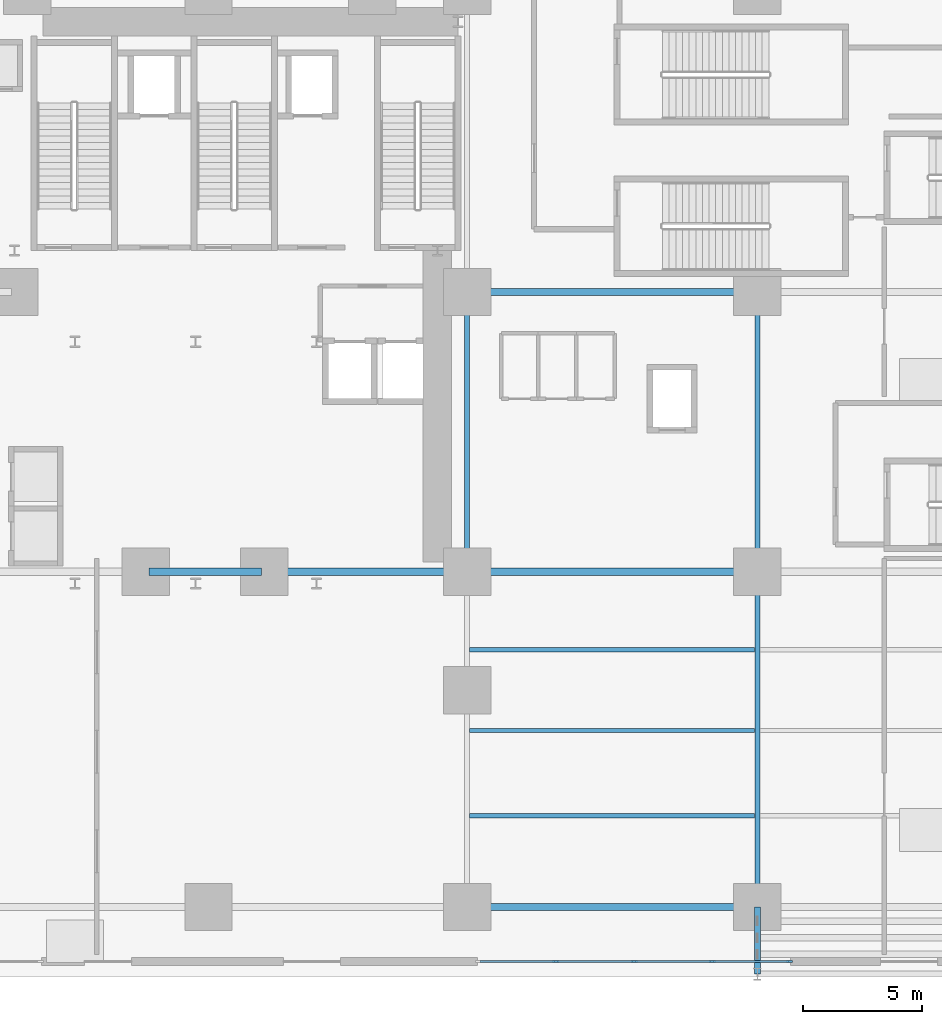
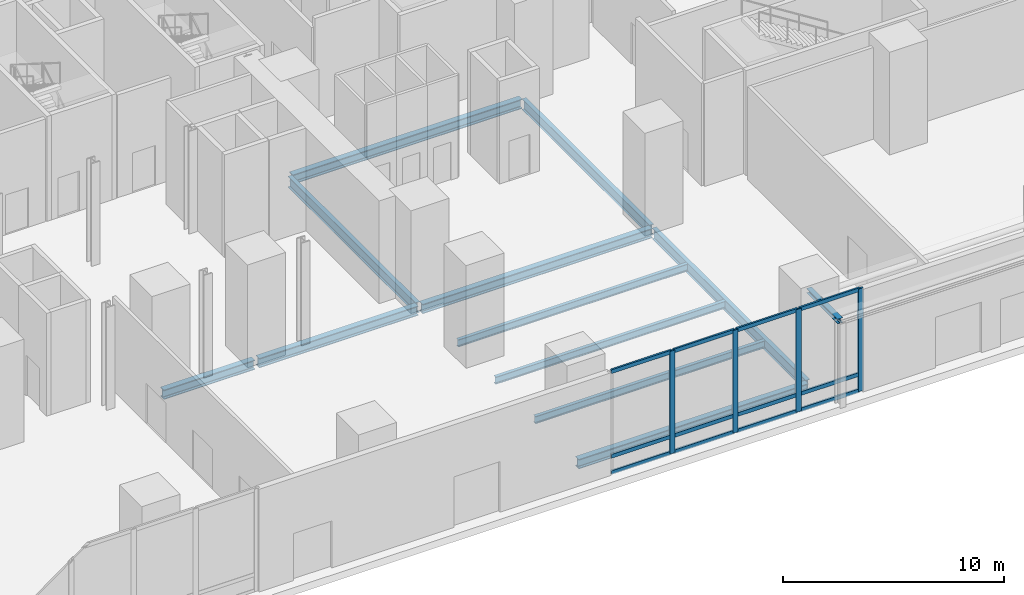
# One storey, part 6 of 25: 16 members, 12 beams, 1 element without a shape of its own.
"""IFC4 building model written with IfcOpenShell, lengths in metres."""

import ifcopenshell
import ifcopenshell.guid

model = None  # the IFC model being written
_history = None  # IfcOwnerHistory: only IFC2X3 demands one
_inside = {}  # id of a spatial element -> (the spatial element, [elements in it])
_under = {}  # id of a project, library or spatial element -> (it, [spatial elements below it])
_declared = {}  # id of a project -> (the project, [libraries it declares])
_typed = {}  # id of a type object -> (the type object, [elements of that type])
_made_of = {}  # id of a material, layer set ... -> (it, [elements and type objects made of it])


def new_model(schema):
    """Start an empty IFC model of exactly this schema.

    Asked for "IFC4X3", IfcOpenShell would pick the latest addendum, in which some entities
    have other attributes; the version numbers below select the first issue.
    IFC2X3 requires an IfcOwnerHistory on every rooted entity: one is made here for all.
    """
    global model, _history
    if schema == "IFC4X3":
        model = ifcopenshell.file(schema_version=(4, 3, 0, 0))
    else:
        model = ifcopenshell.file(schema=schema)
    _inside.clear()
    _under.clear()
    _declared.clear()
    _typed.clear()
    _made_of.clear()
    _history = None
    if model.schema == "IFC2X3":
        org = make("IfcOrganization", Name="unknown")
        user = make(
            "IfcPersonAndOrganization",
            ThePerson=make("IfcPerson", FamilyName="unknown"),
            TheOrganization=org,
        )
        app = make(
            "IfcApplication",
            ApplicationDeveloper=org,
            Version="unknown",
            ApplicationFullName="unknown",
            ApplicationIdentifier="unknown",
        )
        _history = make(
            "IfcOwnerHistory",
            OwningUser=user,
            OwningApplication=app,
            ChangeAction="ADDED",
            CreationDate=0,
        )
    return model


def make(cls, **values):
    """One entity of the class cls with the attributes given. An attribute that is None is left unset."""
    return model.create_entity(
        cls, **{name: value for name, value in values.items() if value is not None}
    )


def rooted(cls, **values):
    """An entity with a GlobalId (a new one), such as an element, a storey or a relation."""
    return make(cls, GlobalId=ifcopenshell.guid.new(), OwnerHistory=_history, **values)


def si_unit(unit_type, name, prefix=None):
    """IfcSIUnit, for example si_unit("LENGTHUNIT", "METRE", prefix="MILLI")."""
    return make("IfcSIUnit", UnitType=unit_type, Prefix=prefix, Name=name)


def assignment(units):
    """IfcUnitAssignment: the units of a project."""
    return None if units is None else make("IfcUnitAssignment", Units=units)


def point(xyz):
    """IfcCartesianPoint."""
    return None if xyz is None else make("IfcCartesianPoint", Coordinates=xyz)


def direction(xyz):
    """IfcDirection."""
    return None if xyz is None else make("IfcDirection", DirectionRatios=xyz)


def frame(location, z_axis=None, x_axis=None):
    """IfcAxis2Placement3D, a coordinate frame: its origin and axes. An axis left out is left unset."""
    return make(
        "IfcAxis2Placement3D",
        Location=point(location),
        Axis=direction(z_axis),
        RefDirection=direction(x_axis),
    )


def frame_2d(location, x_axis=None):
    """IfcAxis2Placement2D, a coordinate frame in the plane: its origin and x axis."""
    return make(
        "IfcAxis2Placement2D", Location=point(location), RefDirection=direction(x_axis)
    )


def origin():
    """The frame at (0, 0, 0) with its axes left unset."""
    return frame((0.0, 0.0, 0.0))


def origin_2d():
    """The frame at (0, 0) in the plane with its x axis left unset."""
    return frame_2d((0.0, 0.0))


def place(relative_to, where):
    """IfcLocalPlacement: puts the frame where relative to a parent placement (None: the world)."""
    return make(
        "IfcLocalPlacement", PlacementRelTo=relative_to, RelativePlacement=where
    )


def context(
    kind, dimensions, precision=None, world=None, true_north=None, identifier=None
):
    """IfcGeometricRepresentationContext, for example the 3D "Model" context."""
    return make(
        "IfcGeometricRepresentationContext",
        ContextIdentifier=identifier,
        ContextType=kind,
        CoordinateSpaceDimension=dimensions,
        Precision=precision,
        WorldCoordinateSystem=world,
        TrueNorth=true_north,
    )


def subcontext(parent, identifier, kind, view, scale=None):
    """IfcGeometricRepresentationSubContext, for example "Body" below "Model"."""
    return make(
        "IfcGeometricRepresentationSubContext",
        ContextIdentifier=identifier,
        ContextType=kind,
        ParentContext=parent,
        TargetScale=scale,
        TargetView=view,
    )


def project(units=None, contexts=None):
    """IfcProject with its units and contexts."""
    return rooted(
        "IfcProject",
        Name="project",
        RepresentationContexts=contexts,
        UnitsInContext=assignment(units),
    )


def spatial(cls, under=None, at=None, **own):
    """A site, building, storey or space (cls), placed at a placement, below another one or the project."""
    s = rooted(cls, ObjectPlacement=at, **own)
    if under is not None:
        _under.setdefault(under.id(), (under, []))[1].append(s)
    return s


def profile(cls, at=None, kind="AREA", **sizes):
    """A parametric profile (cls). Its sizes go by their IFC names, for example OverallWidth=200.0."""
    return make(cls, ProfileType=kind, Position=at, **sizes)


def rectangle(**sizes):
    """IfcRectangleProfileDef."""
    return profile("IfcRectangleProfileDef", **sizes)


def i_section(**sizes):
    """IfcIShapeProfileDef."""
    return profile("IfcIShapeProfileDef", **sizes)


def extrude(swept, where, along, depth):
    """IfcExtrudedAreaSolid: the profile swept, set in the frame where, extruded along a direction by depth."""
    return make(
        "IfcExtrudedAreaSolid",
        SweptArea=swept,
        Position=where,
        ExtrudedDirection=direction(along),
        Depth=depth,
    )


def shape(context_of_items, identifier, shape_type, items):
    """IfcShapeRepresentation: the items that make up one representation, for example the "Body"."""
    return make(
        "IfcShapeRepresentation",
        ContextOfItems=context_of_items,
        RepresentationIdentifier=identifier,
        RepresentationType=shape_type,
        Items=items,
    )


def source(mapping_origin, context_of_items, identifier, shape_type, items):
    """IfcRepresentationMap: a shape defined once, which mapped items show again and again."""
    return make(
        "IfcRepresentationMap",
        MappingOrigin=mapping_origin,
        MappedRepresentation=shape(context_of_items, identifier, shape_type, items),
    )


def transform(
    local_origin,
    x_axis=None,
    y_axis=None,
    z_axis=None,
    scale=None,
    scale2=None,
    scale3=None,
    uniform=True,
):
    """IfcCartesianTransformationOperator3D, or its non-uniform kind. x_axis, y_axis, z_axis: its Axis1, 2, 3."""
    if uniform:
        return make(
            "IfcCartesianTransformationOperator3D",
            Axis1=direction(x_axis),
            Axis2=direction(y_axis),
            LocalOrigin=point(local_origin),
            Scale=scale,
            Axis3=direction(z_axis),
        )
    return make(
        "IfcCartesianTransformationOperator3DnonUniform",
        Axis1=direction(x_axis),
        Axis2=direction(y_axis),
        LocalOrigin=point(local_origin),
        Scale=scale,
        Axis3=direction(z_axis),
        Scale2=scale2,
        Scale3=scale3,
    )


def mapped(mapping_source, mapping_target):
    """IfcMappedItem: shows the shape of a source again, moved by a transform."""
    return make(
        "IfcMappedItem", MappingSource=mapping_source, MappingTarget=mapping_target
    )


def material(Name=None, Category=None):
    """IfcMaterial."""
    return make("IfcMaterial", Name=Name, Category=Category)


def material_profile(
    of_material, cross_section, Name=None, Category=None, Priority=None
):
    """IfcMaterialProfile: a cross section and its material."""
    return make(
        "IfcMaterialProfile",
        Name=Name,
        Material=of_material,
        Profile=cross_section,
        Priority=Priority,
        Category=Category,
    )


def profile_set(profiles, Name=None, composite=None):
    """IfcMaterialProfileSet."""
    return make(
        "IfcMaterialProfileSet",
        Name=Name,
        MaterialProfiles=profiles,
        CompositeProfile=composite,
    )


def made_of(thing, what):
    """Note that an element or type object is made of a material, layer set ...; save() writes the relation."""
    if what is not None:
        _made_of.setdefault(what.id(), (what, []))[1].append(thing)
    return thing


def type_object(cls, material=None, **own):
    """A type object (cls), such as IfcWallType, which elements share."""
    return made_of(rooted(cls, **own), material)


def element(
    cls,
    number,
    at=None,
    inside=None,
    cuts=None,
    type_object=None,
    material=None,
    context=None,
    identifier="Body",
    shape_type=None,
    held_by="IfcProductDefinitionShape",
    body=None,
    shapes=None,
    **own,
):
    """One element of the class cls, such as IfcWall. Its Tag is "e" and its number.

    at: its placement. inside: the storey or other place that contains it. cuts: it is an
    opening in that element (IfcRelVoidsElement). A single representation is given by context,
    identifier, shape_type and body (its items); several are given by shapes. held_by: the class
    of the entity that holds the representations. save() writes the other relations.
    """
    e = rooted(cls, Tag="e%d" % number, ObjectPlacement=at, **own)
    if body is not None:
        shapes = [shape(context, identifier, shape_type, body)]
    if shapes is not None:
        e.Representation = make(held_by, Representations=shapes)
    if inside is not None:
        _inside.setdefault(inside.id(), (inside, []))[1].append(e)
    if cuts is not None:
        rooted(
            "IfcRelVoidsElement", RelatingBuildingElement=cuts, RelatedOpeningElement=e
        )
    if type_object is not None:
        _typed.setdefault(type_object.id(), (type_object, []))[1].append(e)
    return made_of(e, material)


def aggregate(whole, parts):
    """IfcRelAggregates: a whole, such as a stair, and the parts it consists of."""
    return rooted("IfcRelAggregates", RelatingObject=whole, RelatedObjects=parts)


def save(model, path):
    """Write the relations noted so far, then the file.

    IfcRelAggregates (storeys below a building ...), IfcRelContainedInSpatialStructure (elements
    in a storey), IfcRelDefinesByType, IfcRelAssociatesMaterial and IfcRelDeclares: one each for
    every whole, place, type object, material and project.
    """
    for whole, parts in _under.values():
        aggregate(whole, parts)
    for where, things in _inside.values():
        rooted(
            "IfcRelContainedInSpatialStructure",
            RelatedElements=things,
            RelatingStructure=where,
        )
    for kind, things in _typed.values():
        rooted("IfcRelDefinesByType", RelatedObjects=things, RelatingType=kind)
    for what, things in _made_of.values():
        rooted("IfcRelAssociatesMaterial", RelatedObjects=things, RelatingMaterial=what)
    for by, libraries in _declared.values():
        rooted("IfcRelDeclares", RelatingContext=by, RelatedDefinitions=libraries)
    model.write(path)


model = new_model("IFC4")

# Units and contexts
model_context = context("Model", 3, precision=1e-05, world=origin(), true_north=direction((0.0, 1.0)))
body_context = subcontext(model_context, "Body", "Model", "MODEL_VIEW")
ifc_project = project(units=[si_unit("LENGTHUNIT", "METRE"), si_unit("AREAUNIT", "SQUARE_METRE"), si_unit("VOLUMEUNIT", "CUBIC_METRE"), si_unit("PLANEANGLEUNIT", "RADIAN"), si_unit("MASSUNIT", "GRAM", prefix="KILO")], contexts=[model_context])

# Site, building, storey
site_placement = place(None, origin())
site = spatial("IfcSite", under=ifc_project, at=site_placement, CompositionType="ELEMENT")
building_placement = place(site_placement, origin())
building = spatial("IfcBuilding", under=site, at=building_placement, Name="Vardaveli Station Tower", CompositionType="ELEMENT")
storey_placement = place(building_placement, origin())
storey = spatial("IfcBuildingStorey", under=building, at=storey_placement, Name="L01", CompositionType="ELEMENT", Elevation=0.0)

# Beams
ifc_material_1 = material(Name="Structural steel S355J2", Category="steel")
ifc_material_profile_1 = material_profile(ifc_material_1, i_section(OverallWidth=0.305908203125, OverallDepth=0.52392578125, WebThickness=0.02099609375, FlangeThickness=0.0400390625, FilletRadius=0.027099609375, at=origin_2d()), Name="HEM 500")
ifc_profile_set_1 = profile_set([ifc_material_profile_1], Name="Structural steel S355J2")
beam_type_1 = type_object("IfcBeamType", Name="BM-HEM500", PredefinedType="BEAM", material=ifc_profile_set_1)
shared_shape_1 = source(origin(), body_context, "Body", "SweptSolid", [
    extrude(i_section(OverallWidth=0.305908203125, OverallDepth=0.52392578125, WebThickness=0.02099609375, FlangeThickness=0.0400390625, FilletRadius=0.027099609375, at=origin_2d()), origin(), (0.0, 0.0, 1.0), 12.009765625),
])
for number, where, z_axis, x_axis, name in (
    (1, (47.8701171875, 2.949951171875, -0.662109375), (1.0, 0.0, 0.0), (0.0, 1.0, 0.0), "PBM-L01-EW0-4"),
    (2, (47.8701171875, 17.10009765625, -0.662109375), (1.0, 0.0, 0.0), (0.0, 1.0, 0.0), "PBM-L01-EW1-5"),
    (3, (47.8701171875, 28.89990234375, -0.662109375), (1.0, 0.0, 0.0), (0.0, 1.0, 0.0), "PBM-L01-EWE2-0"),
):
    element("IfcBeam", number, at=place(storey_placement, frame(where, z_axis=z_axis, x_axis=x_axis)), inside=storey, type_object=beam_type_1, Name=name, PredefinedType="BEAM", context=body_context, shape_type="MappedRepresentation", body=[
        mapped(shared_shape_1, transform((0.0, 0.0, 0.0), scale=1.0)),
    ])
shared_shape_2 = source(origin(), body_context, "Body", "SweptSolid", [
    extrude(i_section(OverallWidth=0.305908203125, OverallDepth=0.52392578125, WebThickness=0.02099609375, FlangeThickness=0.0400390625, FilletRadius=0.027099609375, at=origin_2d()), origin(), (0.0, 0.0, 1.0), 4.760009765625),
])
beam_1_placement = place(storey_placement, frame((34.320068359375, 17.10009765625, -0.662109375), z_axis=(1.0, 0.0, 0.0), x_axis=(0.0, 1.0, 0.0)))
element("IfcBeam", 4, at=beam_1_placement, inside=storey, type_object=beam_type_1, Name="PBM-L01-EW1-3", PredefinedType="BEAM", context=body_context, shape_type="MappedRepresentation", body=[
    mapped(shared_shape_2, transform((0.0, 0.0, 0.0), scale=1.0)),
])
shared_shape_3 = source(origin(), body_context, "Body", "SweptSolid", [
    extrude(i_section(OverallWidth=0.305908203125, OverallDepth=0.52392578125, WebThickness=0.02099609375, FlangeThickness=0.0400390625, FilletRadius=0.027099609375, at=origin_2d()), origin(), (0.0, 0.0, 1.0), 8.309814453125),
])
beam_2_placement = place(storey_placement, frame((39.320068359375, 17.10009765625, -0.662109375), z_axis=(1.0, 0.0, 0.0), x_axis=(0.0, 1.0, 0.0)))
element("IfcBeam", 5, at=beam_2_placement, inside=storey, type_object=beam_type_1, Name="PBM-L01-EW1-4", PredefinedType="BEAM", context=body_context, shape_type="MappedRepresentation", body=[
    mapped(shared_shape_3, transform((0.0, 0.0, 0.0), scale=1.0)),
])
ifc_material_profile_2 = material_profile(ifc_material_1, i_section(OverallWidth=0.219970703125, OverallDepth=0.60009765625, WebThickness=0.011962890625, FlangeThickness=0.01904296875, FilletRadius=0.02392578125, at=origin_2d()), Name="IPE 600")
ifc_profile_set_2 = profile_set([ifc_material_profile_2], Name="Structural steel S355J2")
beam_type_2 = type_object("IfcBeamType", Name="BM-IPE600", PredefinedType="BEAM", material=ifc_profile_set_2)
shared_shape_4 = source(origin(), body_context, "Body", "SweptSolid", [
    extrude(i_section(OverallWidth=0.219970703125, OverallDepth=0.60009765625, WebThickness=0.011962890625, FlangeThickness=0.01904296875, FilletRadius=0.02392578125, at=origin_2d()), origin(), (0.0, 0.0, 1.0), 13.909912109375),
])
beam_3_placement = place(storey_placement, frame((60.0, 3.070068359375, -0.699951171875), z_axis=(0.0, 1.0, 0.0), x_axis=(-1.0, 0.0, 0.0)))
element("IfcBeam", 6, at=beam_3_placement, inside=storey, type_object=beam_type_2, Name="PBM-L01-NS3-0", PredefinedType="BEAM", context=body_context, shape_type="MappedRepresentation", body=[
    mapped(shared_shape_4, transform((0.0, 0.0, 0.0), scale=1.0)),
])
shared_shape_5 = source(origin(), body_context, "Body", "SweptSolid", [
    extrude(i_section(OverallWidth=0.219970703125, OverallDepth=0.60009765625, WebThickness=0.011962890625, FlangeThickness=0.01904296875, FilletRadius=0.02392578125, at=origin_2d()), origin(), (0.0, 0.0, 1.0), 11.56005859375),
])
for number, where, z_axis, x_axis, name in (
    (7, (47.75, 17.219970703125, -0.699951171875), (0.0, 1.0, 0.0), (-1.0, 0.0, 0.0), "PBM-L01-NS2-1"),
    (8, (60.0, 17.219970703125, -0.699951171875), (0.0, 1.0, 0.0), (-1.0, 0.0, 0.0), "PBM-L01-NS3-1"),
):
    element("IfcBeam", number, at=place(storey_placement, frame(where, z_axis=z_axis, x_axis=x_axis)), inside=storey, type_object=beam_type_2, Name=name, PredefinedType="BEAM", context=body_context, shape_type="MappedRepresentation", body=[
        mapped(shared_shape_5, transform((0.0, 0.0, 0.0), scale=1.0)),
    ])
ifc_material_profile_3 = material_profile(ifc_material_1, i_section(OverallWidth=0.179931640625, OverallDepth=0.39990234375, WebThickness=0.008544921875, FlangeThickness=0.013427734375, FilletRadius=0.02099609375, at=origin_2d()), Name="IPE 400")
ifc_profile_set_3 = profile_set([ifc_material_profile_3], Name="Structural steel S355J2")
beam_type_3 = type_object("IfcBeamType", Name="BM-IPE400", PredefinedType="JOIST", material=ifc_profile_set_3)
shared_shape_6 = source(origin(), body_context, "Body", "SweptSolid", [
    extrude(i_section(OverallWidth=0.179931640625, OverallDepth=0.39990234375, WebThickness=0.008544921875, FlangeThickness=0.013427734375, FilletRadius=0.02099609375, at=origin_2d()), origin(), (0.0, 0.0, 1.0), 12.02587890625),
])
for number, where, z_axis, x_axis, name in (
    (9, (47.862060546875, 6.800048828125, -0.60009765625), (1.0, 0.0, 0.0), (0.0, 1.0, 0.0), "PJ-L01-1-2"),
    (10, (47.862060546875, 10.39990234375, -0.60009765625), (1.0, 0.0, 0.0), (0.0, 1.0, 0.0), "PJ-L01-2-2"),
    (11, (47.862060546875, 13.800048828125, -0.60009765625), (1.0, 0.0, 0.0), (0.0, 1.0, 0.0), "PJ-L01-3-2"),
):
    element("IfcBeam", number, at=place(storey_placement, frame(where, z_axis=z_axis, x_axis=x_axis)), inside=storey, type_object=beam_type_3, Name=name, PredefinedType="JOIST", context=body_context, shape_type="MappedRepresentation", body=[
        mapped(shared_shape_6, transform((0.0, 0.0, 0.0), scale=1.0)),
    ])

# Curtain wall, members
ifc_material_2 = material(Name="Travertine stone and solar-control glass", Category="masonry")
curtain_wall_type = type_object("IfcCurtainWallType", Name="CW-SYS-1", PredefinedType="NOTDEFINED", material=ifc_material_2)
curtain_wall_placement = place(storey_placement, origin())
curtain_wall = element("IfcCurtainWall", 12, at=curtain_wall_placement, inside=storey, type_object=curtain_wall_type, Name="CW-L01-S4", PredefinedType="NOTDEFINED")
ifc_material_3 = material(Name="Anodised aluminium alloy 6063-T6", Category="aluminium")
ifc_material_profile_4 = material_profile(ifc_material_3, rectangle(XDim=0.094970703125, YDim=0.27001953125, at=origin_2d()), Name="CWM 95x270")
ifc_profile_set_4 = profile_set([ifc_material_profile_4], Name="Anodised aluminium alloy 6063-T6")
member_type_1 = type_object("IfcMemberType", Name="CW-SYS-1-MULL", PredefinedType="MULLION", material=ifc_profile_set_4)
shared_shape_7 = source(origin(), body_context, "Body", "SweptSolid", [
    extrude(rectangle(XDim=0.094970703125, YDim=0.27001953125, at=origin_2d()), origin(), (0.0, 0.0, 1.0), 5.679931640625),
])
member_1_placement = place(storey_placement, frame((51.5, 0.64990234375, 0.0), z_axis=(0.0, 0.0, 1.0), x_axis=(0.0, 1.0, 0.0)))
member_1 = element("IfcMember", 13, at=member_1_placement, type_object=member_type_1, Name="CW-1 mullion 2", PredefinedType="MULLION", context=body_context, shape_type="MappedRepresentation", body=[
    mapped(shared_shape_7, transform((0.0, 0.0, 0.0), scale=1.0)),
])
member_2_placement = place(storey_placement, frame((54.800048828125, 0.64990234375, 0.0), z_axis=(0.0, 0.0, 1.0), x_axis=(0.0, 1.0, 0.0)))
member_2 = element("IfcMember", 14, at=member_2_placement, type_object=member_type_1, Name="CW-1 mullion 3", PredefinedType="MULLION", context=body_context, shape_type="MappedRepresentation", body=[
    mapped(shared_shape_7, transform((0.0, 0.0, 0.0), scale=1.0)),
])
member_3_placement = place(storey_placement, frame((58.10009765625, 0.64990234375, 0.0), z_axis=(0.0, 0.0, 1.0), x_axis=(0.0, 1.0, 0.0)))
member_3 = element("IfcMember", 15, at=member_3_placement, type_object=member_type_1, Name="CW-1 mullion 4", PredefinedType="MULLION", context=body_context, shape_type="MappedRepresentation", body=[
    mapped(shared_shape_7, transform((0.0, 0.0, 0.0), scale=1.0)),
])
member_4_placement = place(storey_placement, frame((61.3525390625, 0.64990234375, 0.0), z_axis=(0.0, 0.0, 1.0), x_axis=(0.0, 1.0, 0.0)))
member_4 = element("IfcMember", 16, at=member_4_placement, type_object=member_type_1, Name="CW-1 mullion 5", PredefinedType="MULLION", context=body_context, shape_type="MappedRepresentation", body=[
    mapped(shared_shape_7, transform((0.0, 0.0, 0.0), scale=1.0)),
])
ifc_material_profile_5 = material_profile(ifc_material_3, rectangle(XDim=0.094970703125, YDim=0.2099609375, at=origin_2d()), Name="CWT 95x210")
ifc_profile_set_5 = profile_set([ifc_material_profile_5], Name="Anodised aluminium alloy 6063-T6")
member_type_2 = type_object("IfcMemberType", Name="CW-SYS-1-TRAN", PredefinedType="NOTDEFINED", material=ifc_profile_set_5)
shared_shape_8 = source(origin(), body_context, "Body", "SweptSolid", [
    extrude(rectangle(XDim=0.094970703125, YDim=0.2099609375, at=origin_2d()), origin(), (0.0, 0.0, 1.0), 3.157470703125),
])
member_5_placement = place(storey_placement, frame((48.294921875, 0.64990234375, 0.047607421875), z_axis=(1.0, 0.0, 0.0), x_axis=(0.0, 1.0, 0.0)))
member_5 = element("IfcMember", 17, at=member_5_placement, type_object=member_type_2, Name="CW-1 transom 1.1", ObjectType="TRANSOM", PredefinedType="USERDEFINED", context=body_context, shape_type="MappedRepresentation", body=[
    mapped(shared_shape_8, transform((0.0, 0.0, 0.0), scale=1.0)),
])
member_6_placement = place(storey_placement, frame((48.294921875, 0.64990234375, 0.949951171875), z_axis=(1.0, 0.0, 0.0), x_axis=(0.0, 1.0, 0.0)))
member_6 = element("IfcMember", 18, at=member_6_placement, type_object=member_type_2, Name="CW-1 transom 1.2", ObjectType="TRANSOM", PredefinedType="USERDEFINED", context=body_context, shape_type="MappedRepresentation", body=[
    mapped(shared_shape_8, transform((0.0, 0.0, 0.0), scale=1.0)),
])
member_7_placement = place(storey_placement, frame((48.294921875, 0.64990234375, 5.632568359375), z_axis=(1.0, 0.0, 0.0), x_axis=(0.0, 1.0, 0.0)))
member_7 = element("IfcMember", 19, at=member_7_placement, type_object=member_type_2, Name="CW-1 transom 1.3", ObjectType="TRANSOM", PredefinedType="USERDEFINED", context=body_context, shape_type="MappedRepresentation", body=[
    mapped(shared_shape_8, transform((0.0, 0.0, 0.0), scale=1.0)),
])
member_8_placement = place(storey_placement, frame((58.1474609375, 0.64990234375, 0.047607421875), z_axis=(1.0, 0.0, 0.0), x_axis=(0.0, 1.0, 0.0)))
member_8 = element("IfcMember", 20, at=member_8_placement, type_object=member_type_2, Name="CW-1 transom 4.1", ObjectType="TRANSOM", PredefinedType="USERDEFINED", context=body_context, shape_type="MappedRepresentation", body=[
    mapped(shared_shape_8, transform((0.0, 0.0, 0.0), scale=1.0)),
])
member_9_placement = place(storey_placement, frame((58.1474609375, 0.64990234375, 0.949951171875), z_axis=(1.0, 0.0, 0.0), x_axis=(0.0, 1.0, 0.0)))
member_9 = element("IfcMember", 21, at=member_9_placement, type_object=member_type_2, Name="CW-1 transom 4.2", ObjectType="TRANSOM", PredefinedType="USERDEFINED", context=body_context, shape_type="MappedRepresentation", body=[
    mapped(shared_shape_8, transform((0.0, 0.0, 0.0), scale=1.0)),
])
member_10_placement = place(storey_placement, frame((58.1474609375, 0.64990234375, 5.632568359375), z_axis=(1.0, 0.0, 0.0), x_axis=(0.0, 1.0, 0.0)))
member_10 = element("IfcMember", 22, at=member_10_placement, type_object=member_type_2, Name="CW-1 transom 4.3", ObjectType="TRANSOM", PredefinedType="USERDEFINED", context=body_context, shape_type="MappedRepresentation", body=[
    mapped(shared_shape_8, transform((0.0, 0.0, 0.0), scale=1.0)),
])
shared_shape_9 = source(origin(), body_context, "Body", "SweptSolid", [
    extrude(rectangle(XDim=0.094970703125, YDim=0.2099609375, at=origin_2d()), origin(), (0.0, 0.0, 1.0), 3.204833984375),
])
member_11_placement = place(storey_placement, frame((51.547607421875, 0.64990234375, 0.047607421875), z_axis=(1.0, 0.0, 0.0), x_axis=(0.0, 1.0, 0.0)))
member_11 = element("IfcMember", 23, at=member_11_placement, type_object=member_type_2, Name="CW-1 transom 2.1", ObjectType="TRANSOM", PredefinedType="USERDEFINED", context=body_context, shape_type="MappedRepresentation", body=[
    mapped(shared_shape_9, transform((0.0, 0.0, 0.0), scale=1.0)),
])
member_12_placement = place(storey_placement, frame((51.547607421875, 0.64990234375, 0.949951171875), z_axis=(1.0, 0.0, 0.0), x_axis=(0.0, 1.0, 0.0)))
member_12 = element("IfcMember", 24, at=member_12_placement, type_object=member_type_2, Name="CW-1 transom 2.2", ObjectType="TRANSOM", PredefinedType="USERDEFINED", context=body_context, shape_type="MappedRepresentation", body=[
    mapped(shared_shape_9, transform((0.0, 0.0, 0.0), scale=1.0)),
])
member_13_placement = place(storey_placement, frame((51.547607421875, 0.64990234375, 5.632568359375), z_axis=(1.0, 0.0, 0.0), x_axis=(0.0, 1.0, 0.0)))
member_13 = element("IfcMember", 25, at=member_13_placement, type_object=member_type_2, Name="CW-1 transom 2.3", ObjectType="TRANSOM", PredefinedType="USERDEFINED", context=body_context, shape_type="MappedRepresentation", body=[
    mapped(shared_shape_9, transform((0.0, 0.0, 0.0), scale=1.0)),
])
shared_shape_10 = source(origin(), body_context, "Body", "SweptSolid", [
    extrude(rectangle(XDim=0.094970703125, YDim=0.2099609375, at=origin_2d()), origin(), (0.0, 0.0, 1.0), 3.205078125),
])
member_14_placement = place(storey_placement, frame((54.847412109375, 0.64990234375, 0.047607421875), z_axis=(1.0, 0.0, 0.0), x_axis=(0.0, 1.0, 0.0)))
member_14 = element("IfcMember", 26, at=member_14_placement, type_object=member_type_2, Name="CW-1 transom 3.1", ObjectType="TRANSOM", PredefinedType="USERDEFINED", context=body_context, shape_type="MappedRepresentation", body=[
    mapped(shared_shape_10, transform((0.0, 0.0, 0.0), scale=1.0)),
])
member_15_placement = place(storey_placement, frame((54.847412109375, 0.64990234375, 0.949951171875), z_axis=(1.0, 0.0, 0.0), x_axis=(0.0, 1.0, 0.0)))
member_15 = element("IfcMember", 27, at=member_15_placement, type_object=member_type_2, Name="CW-1 transom 3.2", ObjectType="TRANSOM", PredefinedType="USERDEFINED", context=body_context, shape_type="MappedRepresentation", body=[
    mapped(shared_shape_10, transform((0.0, 0.0, 0.0), scale=1.0)),
])
member_16_placement = place(storey_placement, frame((54.847412109375, 0.64990234375, 5.632568359375), z_axis=(1.0, 0.0, 0.0), x_axis=(0.0, 1.0, 0.0)))
member_16 = element("IfcMember", 28, at=member_16_placement, type_object=member_type_2, Name="CW-1 transom 3.3", ObjectType="TRANSOM", PredefinedType="USERDEFINED", context=body_context, shape_type="MappedRepresentation", body=[
    mapped(shared_shape_10, transform((0.0, 0.0, 0.0), scale=1.0)),
])
aggregate(curtain_wall, [member_1, member_2, member_3, member_4, member_5, member_6, member_7, member_11, member_12, member_13, member_14, member_15, member_16, member_8, member_9, member_10])

# Beam
ifc_material_profile_6 = material_profile(ifc_material_1, i_section(OverallWidth=0.260009765625, OverallDepth=0.260009765625, WebThickness=0.010009765625, FlangeThickness=0.017578125, FilletRadius=0.02392578125, at=origin_2d()), Name="HEB 260")
ifc_profile_set_6 = profile_set([ifc_material_profile_6], Name="Structural steel S355J2")
beam_type_4 = type_object("IfcBeamType", Name="BM-HEB260", PredefinedType="BEAM", material=ifc_profile_set_6)
shared_shape_11 = source(origin(), body_context, "Body", "SweptSolid", [
    extrude(i_section(OverallWidth=0.260009765625, OverallDepth=0.260009765625, WebThickness=0.010009765625, FlangeThickness=0.017578125, FilletRadius=0.02392578125, at=origin_2d()), origin(), (0.0, 0.0, 1.0), 2.829833984375),
])
beam_4_placement = place(storey_placement, frame((60.0, 2.949951171875, 4.64990234375), z_axis=(0.0, -1.0, 0.0), x_axis=(1.0, 0.0, 0.0)))
element("IfcBeam", 29, at=beam_4_placement, inside=storey, type_object=beam_type_4, Name="CNB-S2-A1", PredefinedType="BEAM", context=body_context, shape_type="MappedRepresentation", body=[
    mapped(shared_shape_11, transform((0.0, 0.0, 0.0), scale=1.0)),
])

save(model, "model.ifc")
